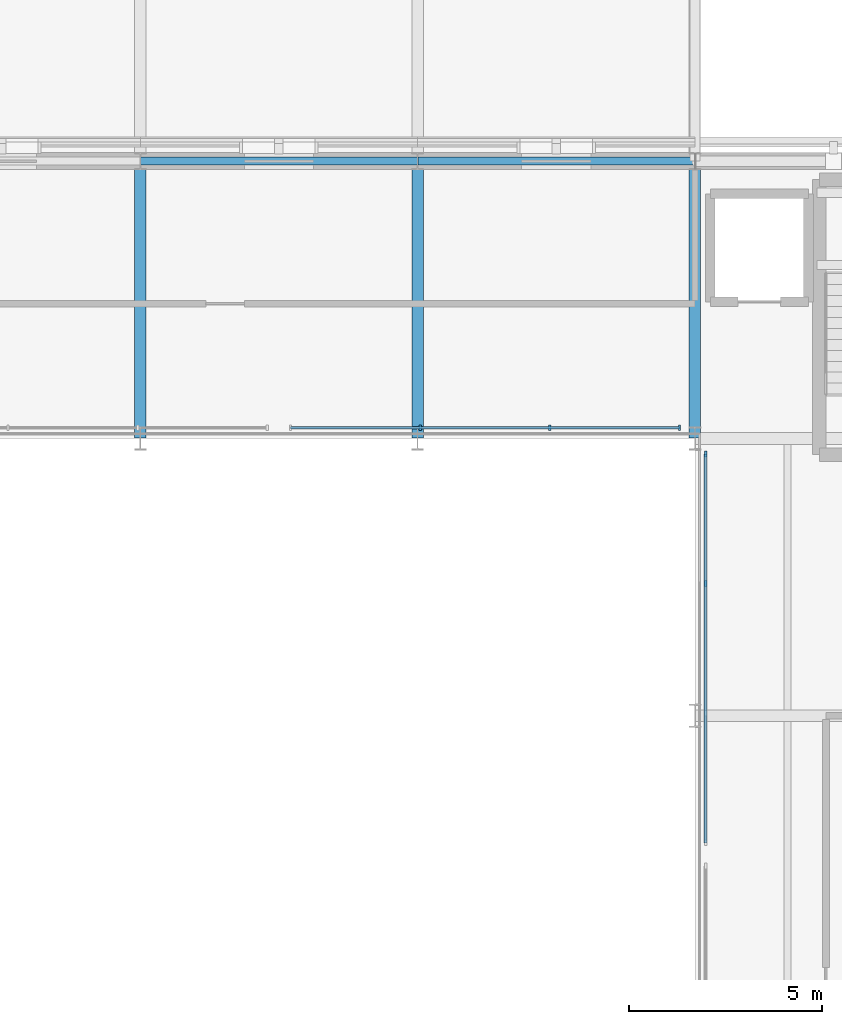
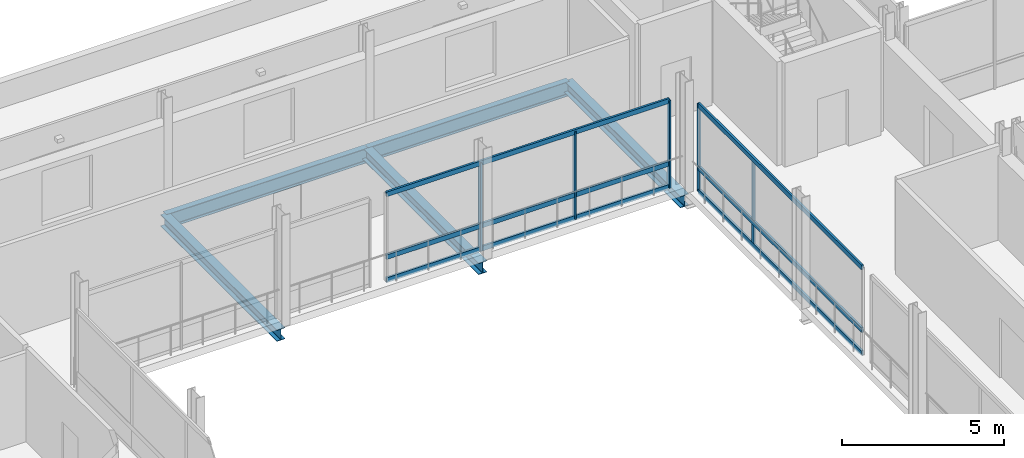
# One storey, part 31 of 115: 11 members, 5 beams, 2 elements without a shape of their own.
"""IFC4 building model written with IfcOpenShell, lengths in metres."""

from ifc_helpers import new_model, si_unit, direction, frame, origin, origin_2d, place, context, subcontext, project, spatial, rectangle, i_section, extrude, material, layer, layer_set, material_profile, profile_set, type_object, element, aggregate, save


model = new_model("IFC4")

# Units and contexts
model_context = context("Model", 3, precision=1e-05, world=origin(), true_north=direction((0.0, 1.0)))
body_context = subcontext(model_context, "Body", "Model", "MODEL_VIEW")
ifc_project = project(units=[si_unit("LENGTHUNIT", "METRE"), si_unit("AREAUNIT", "SQUARE_METRE"), si_unit("VOLUMEUNIT", "CUBIC_METRE"), si_unit("PLANEANGLEUNIT", "RADIAN"), si_unit("MASSUNIT", "GRAM", prefix="KILO")], contexts=[model_context])

# Site, building, storey
site_placement = place(None, origin())
site = spatial("IfcSite", under=ifc_project, at=site_placement, CompositionType="ELEMENT")
building_placement = place(site_placement, origin())
building = spatial("IfcBuilding", under=site, at=building_placement, Name="Narikvali Park Central Library", CompositionType="ELEMENT")
storey_placement = place(building_placement, frame((0.0, 0.0, 10.199951171875)))
storey = spatial("IfcBuildingStorey", under=building, at=storey_placement, Name="L02", CompositionType="ELEMENT", Elevation=10.199951171875)

# Curtain wall, members
ifc_material_1 = material(Name="Anodised Bronze Aluminium", Category="aluminium")
ifc_layer = layer(ifc_material_1, 0.219970703125, Name="Anodised Bronze Aluminium")
ifc_layer_set = layer_set([ifc_layer], Name="Anodised Bronze Aluminium")
curtain_wall_type = type_object("IfcCurtainWallType", Name="Atrium Tall Curtain Wall System", PredefinedType="NOTDEFINED", material=ifc_layer_set)
curtain_wall_1_placement = place(storey_placement, origin())
curtain_wall_1 = element("IfcCurtainWall", 1, at=curtain_wall_1_placement, inside=storey, type_object=curtain_wall_type, Name="Atrium Tall Curtain Wall System CW-INT-V1-L02-E2", PredefinedType="NOTDEFINED")
ifc_material_profile_1 = material_profile(ifc_material_1, rectangle(XDim=0.074951171875, YDim=0.179931640625, at=origin_2d()), Name="CW TRANSOM 75x180")
ifc_profile_set_1 = profile_set([ifc_material_profile_1], Name="Anodised Bronze Aluminium")
member_type_1 = type_object("IfcMemberType", Name="Curtain Wall Heavy Transom 75x180", PredefinedType="USERDEFINED", material=ifc_profile_set_1)
member_1_placement = place(storey_placement, frame((93.8798828125, 75.89990234375, 0.030029296875), z_axis=(0.0, 1.0, 0.0), x_axis=(-1.0, 0.0, 0.0)))
member_1 = element("IfcMember", 2, at=member_1_placement, type_object=member_type_1, Name="CW-INT-V1-L02-E2 Transom 00", ObjectType="TRANSOM", PredefinedType="USERDEFINED", context=body_context, shape_type="SweptSolid", body=[
    extrude(rectangle(XDim=0.074951171875, YDim=0.179931640625, at=origin_2d()), origin(), (0.0, 0.0, 1.0), 10.10009765625),
])
member_2_placement = place(storey_placement, frame((93.8798828125, 75.89990234375, 0.900146484375), z_axis=(0.0, 1.0, 0.0), x_axis=(-1.0, 0.0, 0.0)))
member_2 = element("IfcMember", 3, at=member_2_placement, type_object=member_type_1, Name="CW-INT-V1-L02-E2 Transom 01", ObjectType="TRANSOM", PredefinedType="USERDEFINED", context=body_context, shape_type="SweptSolid", body=[
    extrude(rectangle(XDim=0.074951171875, YDim=0.179931640625, at=origin_2d()), origin(), (0.0, 0.0, 1.0), 10.10009765625),
])
member_3_placement = place(storey_placement, frame((93.8798828125, 75.89990234375, 3.27001953125), z_axis=(0.0, 1.0, 0.0), x_axis=(-1.0, 0.0, 0.0)))
member_3 = element("IfcMember", 4, at=member_3_placement, type_object=member_type_1, Name="CW-INT-V1-L02-E2 Transom 02", ObjectType="TRANSOM", PredefinedType="USERDEFINED", context=body_context, shape_type="SweptSolid", body=[
    extrude(rectangle(XDim=0.074951171875, YDim=0.179931640625, at=origin_2d()), origin(), (0.0, 0.0, 1.0), 10.10009765625),
])

curtain_wall_2_placement = place(storey_placement, origin())
curtain_wall_2 = element("IfcCurtainWall", 5, at=curtain_wall_2_placement, inside=storey, type_object=curtain_wall_type, Name="Atrium Tall Curtain Wall System CW-INT-V1-L02-N2", PredefinedType="NOTDEFINED")
member_4_placement = place(storey_placement, frame((83.10009765625, 86.679931640625, 0.030029296875), z_axis=(1.0, 0.0, 0.0), x_axis=(0.0, 1.0, 0.0)))
member_4 = element("IfcMember", 6, at=member_4_placement, type_object=member_type_1, Name="CW-INT-V1-L02-N2 Transom 00", ObjectType="TRANSOM", PredefinedType="USERDEFINED", context=body_context, shape_type="SweptSolid", body=[
    extrude(rectangle(XDim=0.074951171875, YDim=0.179931640625, at=origin_2d()), origin(), (0.0, 0.0, 1.0), 10.099853515625),
])
member_5_placement = place(storey_placement, frame((83.10009765625, 86.679931640625, 0.900146484375), z_axis=(1.0, 0.0, 0.0), x_axis=(0.0, 1.0, 0.0)))
member_5 = element("IfcMember", 7, at=member_5_placement, type_object=member_type_1, Name="CW-INT-V1-L02-N2 Transom 01", ObjectType="TRANSOM", PredefinedType="USERDEFINED", context=body_context, shape_type="SweptSolid", body=[
    extrude(rectangle(XDim=0.074951171875, YDim=0.179931640625, at=origin_2d()), origin(), (0.0, 0.0, 1.0), 10.099853515625),
])
member_6_placement = place(storey_placement, frame((83.10009765625, 86.679931640625, 3.27001953125), z_axis=(1.0, 0.0, 0.0), x_axis=(0.0, 1.0, 0.0)))
member_6 = element("IfcMember", 8, at=member_6_placement, type_object=member_type_1, Name="CW-INT-V1-L02-N2 Transom 02", ObjectType="TRANSOM", PredefinedType="USERDEFINED", context=body_context, shape_type="SweptSolid", body=[
    extrude(rectangle(XDim=0.074951171875, YDim=0.179931640625, at=origin_2d()), origin(), (0.0, 0.0, 1.0), 10.099853515625),
])

# Member
ifc_material_profile_2 = material_profile(ifc_material_1, rectangle(XDim=0.06005859375, YDim=0.14990234375, at=origin_2d()), Name="CW MULLION 60x150")
ifc_profile_set_2 = profile_set([ifc_material_profile_2], Name="Anodised Bronze Aluminium")
member_type_2 = type_object("IfcMemberType", Name="Curtain Wall Mullion 60x150", PredefinedType="MULLION", material=ifc_profile_set_2)
member_7_placement = place(storey_placement, frame((93.8798828125, 82.63330078125, -0.010009765625), z_axis=(0.0, 0.0, 1.0), x_axis=(1.0, 0.0, 0.0)))
member_7 = element("IfcMember", 9, at=member_7_placement, type_object=member_type_2, Name="CW-INT-V1-L02-E2 Mullion 02", PredefinedType="MULLION", context=body_context, shape_type="SweptSolid", body=[
    extrude(rectangle(XDim=0.06005859375, YDim=0.14990234375, at=origin_2d()), origin(), (0.0, 0.0, 1.0), 3.31005859375),
])

member_8_placement = place(storey_placement, frame((93.8798828125, 86.0, -0.010009765625), z_axis=(0.0, 0.0, 1.0), x_axis=(1.0, 0.0, 0.0)))
member_8 = element("IfcMember", 10, at=member_8_placement, type_object=member_type_2, Name="CW-INT-V1-L02-E2 Mullion 03", PredefinedType="MULLION", context=body_context, shape_type="SweptSolid", body=[
    extrude(rectangle(XDim=0.06005859375, YDim=0.14990234375, at=origin_2d()), origin(), (0.0, 0.0, 1.0), 3.31005859375),
])

aggregate(curtain_wall_1, [member_7, member_8, member_1, member_2, member_3])

member_9_placement = place(storey_placement, frame((86.466796875, 86.679931640625, -0.010009765625), z_axis=(0.0, 0.0, 1.0), x_axis=(1.0, 0.0, 0.0)))
member_9 = element("IfcMember", 11, at=member_9_placement, type_object=member_type_2, Name="CW-INT-V1-L02-N2 Mullion 01", PredefinedType="MULLION", context=body_context, shape_type="SweptSolid", body=[
    extrude(rectangle(XDim=0.06005859375, YDim=0.14990234375, at=origin_2d()), origin(), (0.0, 0.0, 1.0), 3.31005859375),
])

member_10_placement = place(storey_placement, frame((89.833251953125, 86.679931640625, -0.010009765625), z_axis=(0.0, 0.0, 1.0), x_axis=(1.0, 0.0, 0.0)))
member_10 = element("IfcMember", 12, at=member_10_placement, type_object=member_type_2, Name="CW-INT-V1-L02-N2 Mullion 02", PredefinedType="MULLION", context=body_context, shape_type="SweptSolid", body=[
    extrude(rectangle(XDim=0.06005859375, YDim=0.14990234375, at=origin_2d()), origin(), (0.0, 0.0, 1.0), 3.31005859375),
])

member_11_placement = place(storey_placement, frame((93.199951171875, 86.679931640625, -0.010009765625), z_axis=(0.0, 0.0, 1.0), x_axis=(1.0, 0.0, 0.0)))
member_11 = element("IfcMember", 13, at=member_11_placement, type_object=member_type_2, Name="CW-INT-V1-L02-N2 Mullion 03", PredefinedType="MULLION", context=body_context, shape_type="SweptSolid", body=[
    extrude(rectangle(XDim=0.06005859375, YDim=0.14990234375, at=origin_2d()), origin(), (0.0, 0.0, 1.0), 3.31005859375),
])

aggregate(curtain_wall_2, [member_9, member_10, member_11, member_4, member_5, member_6])

# Beams
ifc_material_2 = material(Name="Steel S355", Category="steel")
ifc_material_profile_3 = material_profile(ifc_material_2, i_section(OverallWidth=0.2099609375, OverallDepth=0.550048828125, WebThickness=0.010986328125, FlangeThickness=0.01708984375, FilletRadius=0.02392578125, at=origin_2d()), Name="IPE 550")
ifc_profile_set_3 = profile_set([ifc_material_profile_3], Name="Steel S355")
beam_type_1 = type_object("IfcBeamType", Name="Perimeter Spandrel IPE550", PredefinedType="SPANDREL", material=ifc_profile_set_3)
for number, where, z_axis, x_axis, name in (
    (14, (79.2080078125, 93.60009765625, -0.554931640625), (1.0, 0.0, 0.0), (0.0, 1.0, 0.0), "V1 L02 Girder X"),
    (15, (86.407958984375, 93.60009765625, -0.554931640625), (1.0, 0.0, 0.0), (0.0, 1.0, 0.0), "V1 L02 Girder X"),
):
    element("IfcBeam", number, at=place(storey_placement, frame(where, z_axis=z_axis, x_axis=x_axis)), inside=storey, type_object=beam_type_1, Name=name, PredefinedType="SPANDREL", context=body_context, shape_type="SweptSolid", body=[
        extrude(i_section(OverallWidth=0.2099609375, OverallDepth=0.550048828125, WebThickness=0.010986328125, FlangeThickness=0.01708984375, FilletRadius=0.02392578125, at=origin_2d()), origin(), (0.0, 0.0, 1.0), 7.18408203125),
    ])
ifc_material_profile_4 = material_profile(ifc_material_2, i_section(OverallWidth=0.300048828125, OverallDepth=0.43994140625, WebThickness=0.011474609375, FlangeThickness=0.02099609375, FilletRadius=0.027099609375, at=origin_2d()), Name="HEA 450")
ifc_profile_set_4 = profile_set([ifc_material_profile_4], Name="Steel S355")
beam_type_2 = type_object("IfcBeamType", Name="Primary Girder HEA450", PredefinedType="BEAM", material=ifc_profile_set_4)
for number, where, z_axis, x_axis, name in (
    (16, (79.199951171875, 86.407958984375, -0.5), (0.0, 1.0, 0.0), (-1.0, 0.0, 0.0), "V1 L02 Girder Y"),
    (17, (86.39990234375, 86.407958984375, -0.5), (0.0, 1.0, 0.0), (-1.0, 0.0, 0.0), "V1 L02 Girder Y"),
    (18, (93.60009765625, 86.407958984375, -0.5), (0.0, 1.0, 0.0), (-1.0, 0.0, 0.0), "V1 L02 Girder Y"),
):
    element("IfcBeam", number, at=place(storey_placement, frame(where, z_axis=z_axis, x_axis=x_axis)), inside=storey, type_object=beam_type_2, Name=name, PredefinedType="BEAM", context=body_context, shape_type="SweptSolid", body=[
        extrude(i_section(OverallWidth=0.300048828125, OverallDepth=0.43994140625, WebThickness=0.011474609375, FlangeThickness=0.02099609375, FilletRadius=0.027099609375, at=origin_2d()), origin(), (0.0, 0.0, 1.0), 7.18408203125),
    ])

save(model, "model.ifc")
